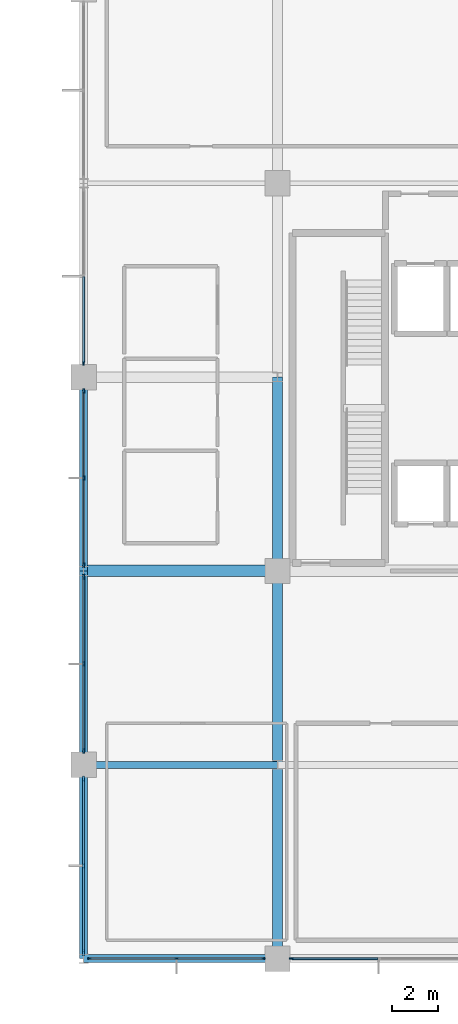
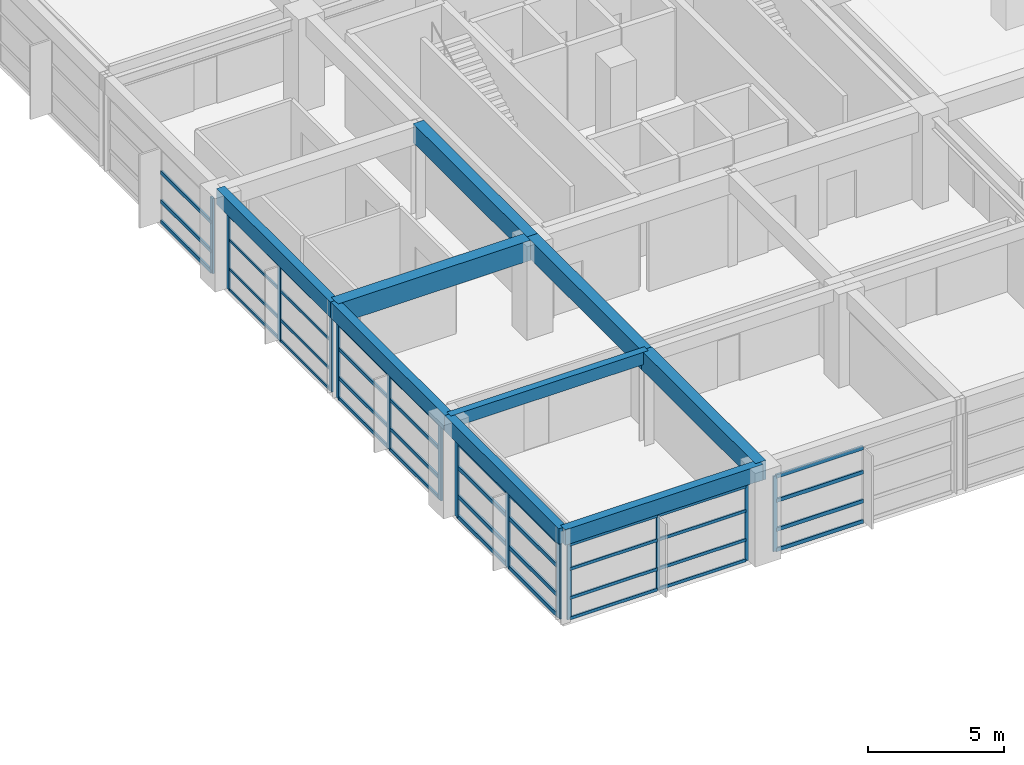
# One storey, part 5 of 19: 53 members, 9 beams, 6 elements without a shape of their own.
"""IFC4 building model written with IfcOpenShell, lengths in metres."""

from ifc_helpers import new_model, si_unit, direction, frame, origin, origin_2d, place, context, subcontext, project, spatial, rectangle, extrude, material, material_profile, profile_set, type_object, element, aggregate, save


model = new_model("IFC4")

# Units and contexts
model_context = context("Model", 3, precision=1e-05, world=origin(), true_north=direction((0.0, 1.0)))
body_context = subcontext(model_context, "Body", "Model", "MODEL_VIEW")
ifc_project = project(units=[si_unit("LENGTHUNIT", "METRE"), si_unit("AREAUNIT", "SQUARE_METRE"), si_unit("VOLUMEUNIT", "CUBIC_METRE"), si_unit("PLANEANGLEUNIT", "RADIAN"), si_unit("MASSUNIT", "GRAM", prefix="KILO")], contexts=[model_context])

# Site, building, storey
site_placement = place(None, origin())
site = spatial("IfcSite", under=ifc_project, at=site_placement, CompositionType="ELEMENT")
building_placement = place(site_placement, origin())
building = spatial("IfcBuilding", under=site, at=building_placement, Name="Xuanlan Plaza Opera House", CompositionType="ELEMENT")
storey_placement = place(building_placement, frame((0.0, 0.0, 36.300048828125)))
storey = spatial("IfcBuildingStorey", under=building, at=storey_placement, Name="L08", CompositionType="ELEMENT", Elevation=36.300048828125)

# Curtain wall, members
ifc_material_1 = material(Name="Anodised Aluminium 6063-T6 and Low-E Glass", Category="aluminium")
curtain_wall_type_1 = type_object("IfcCurtainWallType", Name="ENV-CW-CW-03", PredefinedType="USERDEFINED", material=ifc_material_1)
curtain_wall_1_placement = place(storey_placement, origin())
curtain_wall_1 = element("IfcCurtainWall", 1, at=curtain_wall_1_placement, inside=storey, type_object=curtain_wall_type_1, Name="Unitised Curtain Wall L08-001", ObjectType="UNITISED CURTAIN WALL", PredefinedType="USERDEFINED")
ifc_material_2 = material(Name="Anodised Aluminium 6063-T6", Category="aluminium")
ifc_material_profile_1 = material_profile(ifc_material_2, rectangle(XDim=0.06494140625, YDim=0.159912109375, at=origin_2d()), Name="ALU-M 65x160")
ifc_profile_set_1 = profile_set([ifc_material_profile_1], Name="Anodised Aluminium 6063-T6")
member_type_1 = type_object("IfcMemberType", Name="ENV-CWM-01", PredefinedType="MULLION", material=ifc_profile_set_1)
member_1_placement = place(storey_placement, frame((126.25244140625, 33.60009765625, 0.0), z_axis=(0.0, 0.0, 1.0), x_axis=(0.0, 1.0, 0.0)))
member_1 = element("IfcMember", 2, at=member_1_placement, type_object=member_type_1, Name="CW-03 mullion 1", PredefinedType="MULLION", context=body_context, shape_type="SweptSolid", body=[
    extrude(rectangle(XDim=0.06494140625, YDim=0.159912109375, at=origin_2d()), origin(), (0.0, 0.0, 1.0), 3.3798828125),
])
member_2_placement = place(storey_placement, frame((130.02490234375, 33.60009765625, 0.0), z_axis=(0.0, 0.0, 1.0), x_axis=(0.0, 1.0, 0.0)))
member_2 = element("IfcMember", 3, at=member_2_placement, type_object=member_type_1, Name="CW-03 mullion 2", PredefinedType="MULLION", context=body_context, shape_type="SweptSolid", body=[
    extrude(rectangle(XDim=0.06494140625, YDim=0.159912109375, at=origin_2d()), origin(), (0.0, 0.0, 1.0), 3.3798828125),
])
member_3_placement = place(storey_placement, frame((133.797607421875, 33.60009765625, 0.0), z_axis=(0.0, 0.0, 1.0), x_axis=(0.0, 1.0, 0.0)))
member_3 = element("IfcMember", 4, at=member_3_placement, type_object=member_type_1, Name="CW-03 mullion 3", PredefinedType="MULLION", context=body_context, shape_type="SweptSolid", body=[
    extrude(rectangle(XDim=0.06494140625, YDim=0.159912109375, at=origin_2d()), origin(), (0.0, 0.0, 1.0), 3.3798828125),
])

# Curtain wall, member
curtain_wall_type_2 = type_object("IfcCurtainWallType", Name="ENV-CW-CW-04", PredefinedType="USERDEFINED", material=ifc_material_1)
curtain_wall_2_placement = place(storey_placement, origin())
curtain_wall_2 = element("IfcCurtainWall", 5, at=curtain_wall_2_placement, inside=storey, type_object=curtain_wall_type_2, Name="Unitised Curtain Wall L08-002", ObjectType="UNITISED CURTAIN WALL", PredefinedType="USERDEFINED")
ifc_material_profile_2 = material_profile(ifc_material_2, rectangle(XDim=0.070068359375, YDim=0.179931640625, at=origin_2d()), Name="ALU-M 70x180")
ifc_profile_set_2 = profile_set([ifc_material_profile_2], Name="Anodised Aluminium 6063-T6")
member_type_2 = type_object("IfcMemberType", Name="ENV-CWM-02", PredefinedType="MULLION", material=ifc_profile_set_2)
member_4_placement = place(storey_placement, frame((135.0048828125, 33.60009765625, 0.0), z_axis=(0.0, 0.0, 1.0), x_axis=(0.0, 1.0, 0.0)))
member_4 = element("IfcMember", 6, at=member_4_placement, type_object=member_type_2, Name="CW-04 mullion 1", PredefinedType="MULLION", context=body_context, shape_type="SweptSolid", body=[
    extrude(rectangle(XDim=0.070068359375, YDim=0.179931640625, at=origin_2d()), origin(), (0.0, 0.0, 1.0), 3.3798828125),
])

curtain_wall_3_placement = place(storey_placement, origin())
curtain_wall_3 = element("IfcCurtainWall", 7, at=curtain_wall_3_placement, inside=storey, type_object=curtain_wall_type_1, Name="Unitised Curtain Wall L08-017", ObjectType="UNITISED CURTAIN WALL", PredefinedType="USERDEFINED")
member_5_placement = place(storey_placement, frame((126.0, 59.405029296875, 0.0), z_axis=(0.0, 0.0, 1.0), x_axis=(1.0, 0.0, 0.0)))
member_5 = element("IfcMember", 8, at=member_5_placement, type_object=member_type_2, Name="CW-03 mullion 3", PredefinedType="MULLION", context=body_context, shape_type="SweptSolid", body=[
    extrude(rectangle(XDim=0.070068359375, YDim=0.179931640625, at=origin_2d()), origin(), (0.0, 0.0, 1.0), 3.3798828125),
])

# Curtain wall, members
curtain_wall_4_placement = place(storey_placement, origin())
curtain_wall_4 = element("IfcCurtainWall", 9, at=curtain_wall_4_placement, inside=storey, type_object=curtain_wall_type_2, Name="Unitised Curtain Wall L08-018", ObjectType="UNITISED CURTAIN WALL", PredefinedType="USERDEFINED")
ifc_material_profile_3 = material_profile(ifc_material_2, rectangle(XDim=0.074951171875, YDim=0.199951171875, at=origin_2d()), Name="ALU-M 75x200")
ifc_profile_set_3 = profile_set([ifc_material_profile_3], Name="Anodised Aluminium 6063-T6")
member_type_3 = type_object("IfcMemberType", Name="ENV-CWM-03", PredefinedType="MULLION", material=ifc_profile_set_3)
member_6_placement = place(storey_placement, frame((126.0, 58.1923828125, 0.0), z_axis=(0.0, 0.0, 1.0), x_axis=(1.0, 0.0, 0.0)))
member_6 = element("IfcMember", 10, at=member_6_placement, type_object=member_type_3, Name="CW-04 mullion 1", PredefinedType="MULLION", context=body_context, shape_type="SweptSolid", body=[
    extrude(rectangle(XDim=0.074951171875, YDim=0.199951171875, at=origin_2d()), origin(), (0.0, 0.0, 1.0), 3.3798828125),
])
member_7_placement = place(storey_placement, frame((126.0, 54.425048828125, 0.0), z_axis=(0.0, 0.0, 1.0), x_axis=(1.0, 0.0, 0.0)))
member_7 = element("IfcMember", 11, at=member_7_placement, type_object=member_type_3, Name="CW-04 mullion 2", PredefinedType="MULLION", context=body_context, shape_type="SweptSolid", body=[
    extrude(rectangle(XDim=0.074951171875, YDim=0.199951171875, at=origin_2d()), origin(), (0.0, 0.0, 1.0), 3.3798828125),
])
member_8_placement = place(storey_placement, frame((126.0, 50.657470703125, 0.0), z_axis=(0.0, 0.0, 1.0), x_axis=(1.0, 0.0, 0.0)))
member_8 = element("IfcMember", 12, at=member_8_placement, type_object=member_type_3, Name="CW-04 mullion 3", PredefinedType="MULLION", context=body_context, shape_type="SweptSolid", body=[
    extrude(rectangle(XDim=0.074951171875, YDim=0.199951171875, at=origin_2d()), origin(), (0.0, 0.0, 1.0), 3.3798828125),
])

curtain_wall_type_3 = type_object("IfcCurtainWallType", Name="ENV-CW-CW-01", PredefinedType="USERDEFINED", material=ifc_material_1)
curtain_wall_5_placement = place(storey_placement, origin())
curtain_wall_5 = element("IfcCurtainWall", 13, at=curtain_wall_5_placement, inside=storey, type_object=curtain_wall_type_3, Name="Unitised Curtain Wall L08-019", ObjectType="UNITISED CURTAIN WALL", PredefinedType="USERDEFINED")
ifc_material_profile_4 = material_profile(ifc_material_2, rectangle(XDim=0.080078125, YDim=0.219970703125, at=origin_2d()), Name="ALU-M 80x220")
ifc_profile_set_4 = profile_set([ifc_material_profile_4], Name="Anodised Aluminium 6063-T6")
member_type_4 = type_object("IfcMemberType", Name="ENV-CWM-04", PredefinedType="MULLION", material=ifc_profile_set_4)
member_9_placement = place(storey_placement, frame((126.0, 50.139892578125, 0.0), z_axis=(0.0, 0.0, 1.0), x_axis=(1.0, 0.0, 0.0)))
member_9 = element("IfcMember", 14, at=member_9_placement, type_object=member_type_4, Name="CW-01 mullion 1", PredefinedType="MULLION", context=body_context, shape_type="SweptSolid", body=[
    extrude(rectangle(XDim=0.080078125, YDim=0.219970703125, at=origin_2d()), origin(), (0.0, 0.0, 1.0), 3.3798828125),
])
member_10_placement = place(storey_placement, frame((126.0, 46.375, 0.0), z_axis=(0.0, 0.0, 1.0), x_axis=(1.0, 0.0, 0.0)))
member_10 = element("IfcMember", 15, at=member_10_placement, type_object=member_type_4, Name="CW-01 mullion 2", PredefinedType="MULLION", context=body_context, shape_type="SweptSolid", body=[
    extrude(rectangle(XDim=0.080078125, YDim=0.219970703125, at=origin_2d()), origin(), (0.0, 0.0, 1.0), 3.3798828125),
])
member_11_placement = place(storey_placement, frame((126.0, 42.610107421875, 0.0), z_axis=(0.0, 0.0, 1.0), x_axis=(1.0, 0.0, 0.0)))
member_11 = element("IfcMember", 16, at=member_11_placement, type_object=member_type_4, Name="CW-01 mullion 3", PredefinedType="MULLION", context=body_context, shape_type="SweptSolid", body=[
    extrude(rectangle(XDim=0.080078125, YDim=0.219970703125, at=origin_2d()), origin(), (0.0, 0.0, 1.0), 3.3798828125),
])

curtain_wall_type_4 = type_object("IfcCurtainWallType", Name="ENV-CW-CW-02", PredefinedType="USERDEFINED", material=ifc_material_1)
curtain_wall_6_placement = place(storey_placement, origin())
curtain_wall_6 = element("IfcCurtainWall", 17, at=curtain_wall_6_placement, inside=storey, type_object=curtain_wall_type_4, Name="Unitised Curtain Wall L08-020", ObjectType="UNITISED CURTAIN WALL", PredefinedType="USERDEFINED")
ifc_material_profile_5 = material_profile(ifc_material_2, rectangle(XDim=0.090087890625, YDim=0.25, at=origin_2d()), Name="ALU-M 90x250")
ifc_profile_set_5 = profile_set([ifc_material_profile_5], Name="Anodised Aluminium 6063-T6")
member_type_5 = type_object("IfcMemberType", Name="ENV-CWM-05", PredefinedType="MULLION", material=ifc_profile_set_5)
member_12_placement = place(storey_placement, frame((126.0, 41.385009765625, 0.0), z_axis=(0.0, 0.0, 1.0), x_axis=(1.0, 0.0, 0.0)))
member_12 = element("IfcMember", 18, at=member_12_placement, type_object=member_type_5, Name="CW-02 mullion 1", PredefinedType="MULLION", context=body_context, shape_type="SweptSolid", body=[
    extrude(rectangle(XDim=0.090087890625, YDim=0.25, at=origin_2d()), origin(), (0.0, 0.0, 1.0), 3.3798828125),
])
member_13_placement = place(storey_placement, frame((126.0, 37.625, 0.0), z_axis=(0.0, 0.0, 1.0), x_axis=(1.0, 0.0, 0.0)))
member_13 = element("IfcMember", 19, at=member_13_placement, type_object=member_type_5, Name="CW-02 mullion 2", PredefinedType="MULLION", context=body_context, shape_type="SweptSolid", body=[
    extrude(rectangle(XDim=0.090087890625, YDim=0.25, at=origin_2d()), origin(), (0.0, 0.0, 1.0), 3.3798828125),
])
member_14_placement = place(storey_placement, frame((126.0, 33.864990234375, 0.0), z_axis=(0.0, 0.0, 1.0), x_axis=(1.0, 0.0, 0.0)))
member_14 = element("IfcMember", 20, at=member_14_placement, type_object=member_type_5, Name="CW-02 mullion 3", PredefinedType="MULLION", context=body_context, shape_type="SweptSolid", body=[
    extrude(rectangle(XDim=0.090087890625, YDim=0.25, at=origin_2d()), origin(), (0.0, 0.0, 1.0), 3.3798828125),
])

# Member
ifc_material_profile_6 = material_profile(ifc_material_2, rectangle(XDim=0.06494140625, YDim=0.1201171875, at=origin_2d()), Name="ALU-T 65x120")
ifc_profile_set_6 = profile_set([ifc_material_profile_6], Name="Anodised Aluminium 6063-T6")
member_type_6 = type_object("IfcMemberType", Name="ENV-CWT-01", PredefinedType="USERDEFINED", material=ifc_profile_set_6)
member_15_placement = place(storey_placement, frame((126.0, 58.155029296875, 0.032470703125), z_axis=(0.0, -1.0, 0.0), x_axis=(1.0, 0.0, 0.0)))
member_15 = element("IfcMember", 21, at=member_15_placement, type_object=member_type_6, Name="CW-04 transom 1.1", ObjectType="TRANSOM", PredefinedType="USERDEFINED", context=body_context, shape_type="SweptSolid", body=[
    extrude(rectangle(XDim=0.06494140625, YDim=0.1201171875, at=origin_2d()), origin(), (0.0, 0.0, 1.0), 3.692626953125),
])

member_16_placement = place(storey_placement, frame((126.0, 58.155029296875, 0.949951171875), z_axis=(0.0, -1.0, 0.0), x_axis=(1.0, 0.0, 0.0)))
member_16 = element("IfcMember", 22, at=member_16_placement, type_object=member_type_6, Name="CW-04 transom 1.2", ObjectType="TRANSOM", PredefinedType="USERDEFINED", context=body_context, shape_type="SweptSolid", body=[
    extrude(rectangle(XDim=0.06494140625, YDim=0.1201171875, at=origin_2d()), origin(), (0.0, 0.0, 1.0), 3.692626953125),
])

member_17_placement = place(storey_placement, frame((126.0, 58.155029296875, 2.25), z_axis=(0.0, -1.0, 0.0), x_axis=(1.0, 0.0, 0.0)))
member_17 = element("IfcMember", 23, at=member_17_placement, type_object=member_type_6, Name="CW-04 transom 1.3", ObjectType="TRANSOM", PredefinedType="USERDEFINED", context=body_context, shape_type="SweptSolid", body=[
    extrude(rectangle(XDim=0.06494140625, YDim=0.1201171875, at=origin_2d()), origin(), (0.0, 0.0, 1.0), 3.692626953125),
])

member_18_placement = place(storey_placement, frame((126.0, 58.155029296875, 3.347412109375), z_axis=(0.0, -1.0, 0.0), x_axis=(1.0, 0.0, 0.0)))
member_18 = element("IfcMember", 24, at=member_18_placement, type_object=member_type_6, Name="CW-04 transom 1.4", ObjectType="TRANSOM", PredefinedType="USERDEFINED", context=body_context, shape_type="SweptSolid", body=[
    extrude(rectangle(XDim=0.06494140625, YDim=0.1201171875, at=origin_2d()), origin(), (0.0, 0.0, 1.0), 3.692626953125),
])

member_19_placement = place(storey_placement, frame((126.0, 54.387451171875, 0.032470703125), z_axis=(0.0, -1.0, 0.0), x_axis=(1.0, 0.0, 0.0)))
member_19 = element("IfcMember", 25, at=member_19_placement, type_object=member_type_6, Name="CW-04 transom 2.1", ObjectType="TRANSOM", PredefinedType="USERDEFINED", context=body_context, shape_type="SweptSolid", body=[
    extrude(rectangle(XDim=0.06494140625, YDim=0.1201171875, at=origin_2d()), origin(), (0.0, 0.0, 1.0), 3.6923828125),
])

member_20_placement = place(storey_placement, frame((126.0, 54.387451171875, 0.949951171875), z_axis=(0.0, -1.0, 0.0), x_axis=(1.0, 0.0, 0.0)))
member_20 = element("IfcMember", 26, at=member_20_placement, type_object=member_type_6, Name="CW-04 transom 2.2", ObjectType="TRANSOM", PredefinedType="USERDEFINED", context=body_context, shape_type="SweptSolid", body=[
    extrude(rectangle(XDim=0.06494140625, YDim=0.1201171875, at=origin_2d()), origin(), (0.0, 0.0, 1.0), 3.6923828125),
])

member_21_placement = place(storey_placement, frame((126.0, 54.387451171875, 2.25), z_axis=(0.0, -1.0, 0.0), x_axis=(1.0, 0.0, 0.0)))
member_21 = element("IfcMember", 27, at=member_21_placement, type_object=member_type_6, Name="CW-04 transom 2.3", ObjectType="TRANSOM", PredefinedType="USERDEFINED", context=body_context, shape_type="SweptSolid", body=[
    extrude(rectangle(XDim=0.06494140625, YDim=0.1201171875, at=origin_2d()), origin(), (0.0, 0.0, 1.0), 3.6923828125),
])

member_22_placement = place(storey_placement, frame((126.0, 54.387451171875, 3.347412109375), z_axis=(0.0, -1.0, 0.0), x_axis=(1.0, 0.0, 0.0)))
member_22 = element("IfcMember", 28, at=member_22_placement, type_object=member_type_6, Name="CW-04 transom 2.4", ObjectType="TRANSOM", PredefinedType="USERDEFINED", context=body_context, shape_type="SweptSolid", body=[
    extrude(rectangle(XDim=0.06494140625, YDim=0.1201171875, at=origin_2d()), origin(), (0.0, 0.0, 1.0), 3.6923828125),
])

aggregate(curtain_wall_4, [member_6, member_7, member_8, member_15, member_16, member_17, member_18, member_19, member_20, member_21, member_22])

ifc_material_profile_7 = material_profile(ifc_material_2, rectangle(XDim=0.070068359375, YDim=0.135009765625, at=origin_2d()), Name="ALU-T 70x135")
ifc_profile_set_7 = profile_set([ifc_material_profile_7], Name="Anodised Aluminium 6063-T6")
member_type_7 = type_object("IfcMemberType", Name="ENV-CWT-02", PredefinedType="USERDEFINED", material=ifc_profile_set_7)
member_23_placement = place(storey_placement, frame((126.284912109375, 33.60009765625, 0.034912109375), z_axis=(1.0, 0.0, 0.0), x_axis=(0.0, 1.0, 0.0)))
member_23 = element("IfcMember", 29, at=member_23_placement, type_object=member_type_7, Name="CW-03 transom 1.1", ObjectType="TRANSOM", PredefinedType="USERDEFINED", context=body_context, shape_type="SweptSolid", body=[
    extrude(rectangle(XDim=0.070068359375, YDim=0.135009765625, at=origin_2d()), origin(), (0.0, 0.0, 1.0), 3.70751953125),
])

member_24_placement = place(storey_placement, frame((126.284912109375, 33.60009765625, 0.949951171875), z_axis=(1.0, 0.0, 0.0), x_axis=(0.0, 1.0, 0.0)))
member_24 = element("IfcMember", 30, at=member_24_placement, type_object=member_type_7, Name="CW-03 transom 1.2", ObjectType="TRANSOM", PredefinedType="USERDEFINED", context=body_context, shape_type="SweptSolid", body=[
    extrude(rectangle(XDim=0.070068359375, YDim=0.135009765625, at=origin_2d()), origin(), (0.0, 0.0, 1.0), 3.70751953125),
])

member_25_placement = place(storey_placement, frame((126.284912109375, 33.60009765625, 2.25), z_axis=(1.0, 0.0, 0.0), x_axis=(0.0, 1.0, 0.0)))
member_25 = element("IfcMember", 31, at=member_25_placement, type_object=member_type_7, Name="CW-03 transom 1.3", ObjectType="TRANSOM", PredefinedType="USERDEFINED", context=body_context, shape_type="SweptSolid", body=[
    extrude(rectangle(XDim=0.070068359375, YDim=0.135009765625, at=origin_2d()), origin(), (0.0, 0.0, 1.0), 3.70751953125),
])

member_26_placement = place(storey_placement, frame((126.284912109375, 33.60009765625, 3.344970703125), z_axis=(1.0, 0.0, 0.0), x_axis=(0.0, 1.0, 0.0)))
member_26 = element("IfcMember", 32, at=member_26_placement, type_object=member_type_7, Name="CW-03 transom 1.4", ObjectType="TRANSOM", PredefinedType="USERDEFINED", context=body_context, shape_type="SweptSolid", body=[
    extrude(rectangle(XDim=0.070068359375, YDim=0.135009765625, at=origin_2d()), origin(), (0.0, 0.0, 1.0), 3.70751953125),
])

member_27_placement = place(storey_placement, frame((130.0576171875, 33.60009765625, 0.034912109375), z_axis=(1.0, 0.0, 0.0), x_axis=(0.0, 1.0, 0.0)))
member_27 = element("IfcMember", 33, at=member_27_placement, type_object=member_type_7, Name="CW-03 transom 2.1", ObjectType="TRANSOM", PredefinedType="USERDEFINED", context=body_context, shape_type="SweptSolid", body=[
    extrude(rectangle(XDim=0.070068359375, YDim=0.135009765625, at=origin_2d()), origin(), (0.0, 0.0, 1.0), 3.707275390625),
])

member_28_placement = place(storey_placement, frame((130.0576171875, 33.60009765625, 0.949951171875), z_axis=(1.0, 0.0, 0.0), x_axis=(0.0, 1.0, 0.0)))
member_28 = element("IfcMember", 34, at=member_28_placement, type_object=member_type_7, Name="CW-03 transom 2.2", ObjectType="TRANSOM", PredefinedType="USERDEFINED", context=body_context, shape_type="SweptSolid", body=[
    extrude(rectangle(XDim=0.070068359375, YDim=0.135009765625, at=origin_2d()), origin(), (0.0, 0.0, 1.0), 3.707275390625),
])

member_29_placement = place(storey_placement, frame((130.0576171875, 33.60009765625, 2.25), z_axis=(1.0, 0.0, 0.0), x_axis=(0.0, 1.0, 0.0)))
member_29 = element("IfcMember", 35, at=member_29_placement, type_object=member_type_7, Name="CW-03 transom 2.3", ObjectType="TRANSOM", PredefinedType="USERDEFINED", context=body_context, shape_type="SweptSolid", body=[
    extrude(rectangle(XDim=0.070068359375, YDim=0.135009765625, at=origin_2d()), origin(), (0.0, 0.0, 1.0), 3.707275390625),
])

member_30_placement = place(storey_placement, frame((130.0576171875, 33.60009765625, 3.344970703125), z_axis=(1.0, 0.0, 0.0), x_axis=(0.0, 1.0, 0.0)))
member_30 = element("IfcMember", 36, at=member_30_placement, type_object=member_type_7, Name="CW-03 transom 2.4", ObjectType="TRANSOM", PredefinedType="USERDEFINED", context=body_context, shape_type="SweptSolid", body=[
    extrude(rectangle(XDim=0.070068359375, YDim=0.135009765625, at=origin_2d()), origin(), (0.0, 0.0, 1.0), 3.707275390625),
])

aggregate(curtain_wall_1, [member_1, member_2, member_3, member_23, member_24, member_25, member_26, member_27, member_28, member_29, member_30])

ifc_material_profile_8 = material_profile(ifc_material_2, rectangle(XDim=0.074951171875, YDim=0.14990234375, at=origin_2d()), Name="ALU-T 75x150")
ifc_profile_set_8 = profile_set([ifc_material_profile_8], Name="Anodised Aluminium 6063-T6")
member_type_8 = type_object("IfcMemberType", Name="ENV-CWT-03", PredefinedType="USERDEFINED", material=ifc_profile_set_8)
member_31_placement = place(storey_placement, frame((126.0, 50.10009765625, 0.037353515625), z_axis=(0.0, -1.0, 0.0), x_axis=(1.0, 0.0, 0.0)))
member_31 = element("IfcMember", 37, at=member_31_placement, type_object=member_type_8, Name="CW-01 transom 1.1", ObjectType="TRANSOM", PredefinedType="USERDEFINED", context=body_context, shape_type="SweptSolid", body=[
    extrude(rectangle(XDim=0.074951171875, YDim=0.14990234375, at=origin_2d()), origin(), (0.0, 0.0, 1.0), 3.68505859375),
])

member_32_placement = place(storey_placement, frame((126.0, 50.10009765625, 0.949951171875), z_axis=(0.0, -1.0, 0.0), x_axis=(1.0, 0.0, 0.0)))
member_32 = element("IfcMember", 38, at=member_32_placement, type_object=member_type_8, Name="CW-01 transom 1.2", ObjectType="TRANSOM", PredefinedType="USERDEFINED", context=body_context, shape_type="SweptSolid", body=[
    extrude(rectangle(XDim=0.074951171875, YDim=0.14990234375, at=origin_2d()), origin(), (0.0, 0.0, 1.0), 3.68505859375),
])

member_33_placement = place(storey_placement, frame((126.0, 50.10009765625, 2.25), z_axis=(0.0, -1.0, 0.0), x_axis=(1.0, 0.0, 0.0)))
member_33 = element("IfcMember", 39, at=member_33_placement, type_object=member_type_8, Name="CW-01 transom 1.3", ObjectType="TRANSOM", PredefinedType="USERDEFINED", context=body_context, shape_type="SweptSolid", body=[
    extrude(rectangle(XDim=0.074951171875, YDim=0.14990234375, at=origin_2d()), origin(), (0.0, 0.0, 1.0), 3.68505859375),
])

member_34_placement = place(storey_placement, frame((126.0, 50.10009765625, 3.342529296875), z_axis=(0.0, -1.0, 0.0), x_axis=(1.0, 0.0, 0.0)))
member_34 = element("IfcMember", 40, at=member_34_placement, type_object=member_type_8, Name="CW-01 transom 1.4", ObjectType="TRANSOM", PredefinedType="USERDEFINED", context=body_context, shape_type="SweptSolid", body=[
    extrude(rectangle(XDim=0.074951171875, YDim=0.14990234375, at=origin_2d()), origin(), (0.0, 0.0, 1.0), 3.68505859375),
])

member_35_placement = place(storey_placement, frame((126.0, 46.3349609375, 0.037353515625), z_axis=(0.0, -1.0, 0.0), x_axis=(1.0, 0.0, 0.0)))
member_35 = element("IfcMember", 41, at=member_35_placement, type_object=member_type_8, Name="CW-01 transom 2.1", ObjectType="TRANSOM", PredefinedType="USERDEFINED", context=body_context, shape_type="SweptSolid", body=[
    extrude(rectangle(XDim=0.074951171875, YDim=0.14990234375, at=origin_2d()), origin(), (0.0, 0.0, 1.0), 3.68505859375),
])

member_36_placement = place(storey_placement, frame((126.0, 46.3349609375, 0.949951171875), z_axis=(0.0, -1.0, 0.0), x_axis=(1.0, 0.0, 0.0)))
member_36 = element("IfcMember", 42, at=member_36_placement, type_object=member_type_8, Name="CW-01 transom 2.2", ObjectType="TRANSOM", PredefinedType="USERDEFINED", context=body_context, shape_type="SweptSolid", body=[
    extrude(rectangle(XDim=0.074951171875, YDim=0.14990234375, at=origin_2d()), origin(), (0.0, 0.0, 1.0), 3.68505859375),
])

member_37_placement = place(storey_placement, frame((126.0, 46.3349609375, 2.25), z_axis=(0.0, -1.0, 0.0), x_axis=(1.0, 0.0, 0.0)))
member_37 = element("IfcMember", 43, at=member_37_placement, type_object=member_type_8, Name="CW-01 transom 2.3", ObjectType="TRANSOM", PredefinedType="USERDEFINED", context=body_context, shape_type="SweptSolid", body=[
    extrude(rectangle(XDim=0.074951171875, YDim=0.14990234375, at=origin_2d()), origin(), (0.0, 0.0, 1.0), 3.68505859375),
])

member_38_placement = place(storey_placement, frame((126.0, 46.3349609375, 3.342529296875), z_axis=(0.0, -1.0, 0.0), x_axis=(1.0, 0.0, 0.0)))
member_38 = element("IfcMember", 44, at=member_38_placement, type_object=member_type_8, Name="CW-01 transom 2.4", ObjectType="TRANSOM", PredefinedType="USERDEFINED", context=body_context, shape_type="SweptSolid", body=[
    extrude(rectangle(XDim=0.074951171875, YDim=0.14990234375, at=origin_2d()), origin(), (0.0, 0.0, 1.0), 3.68505859375),
])

aggregate(curtain_wall_5, [member_9, member_10, member_11, member_31, member_32, member_33, member_34, member_35, member_36, member_37, member_38])

ifc_material_profile_9 = material_profile(ifc_material_2, rectangle(XDim=0.080078125, YDim=0.1650390625, at=origin_2d()), Name="ALU-T 80x165")
ifc_profile_set_9 = profile_set([ifc_material_profile_9], Name="Anodised Aluminium 6063-T6")
member_type_9 = type_object("IfcMemberType", Name="ENV-CWT-04", PredefinedType="USERDEFINED", material=ifc_profile_set_9)
member_39_placement = place(storey_placement, frame((135.0400390625, 33.60009765625, 0.0400390625), z_axis=(1.0, 0.0, 0.0), x_axis=(0.0, 1.0, 0.0)))
member_39 = element("IfcMember", 45, at=member_39_placement, type_object=member_type_9, Name="CW-04 transom 1.1", ObjectType="TRANSOM", PredefinedType="USERDEFINED", context=body_context, shape_type="SweptSolid", body=[
    extrude(rectangle(XDim=0.080078125, YDim=0.1650390625, at=origin_2d()), origin(), (0.0, 0.0, 1.0), 3.699951171875),
])

member_40_placement = place(storey_placement, frame((135.0400390625, 33.60009765625, 0.949951171875), z_axis=(1.0, 0.0, 0.0), x_axis=(0.0, 1.0, 0.0)))
member_40 = element("IfcMember", 46, at=member_40_placement, type_object=member_type_9, Name="CW-04 transom 1.2", ObjectType="TRANSOM", PredefinedType="USERDEFINED", context=body_context, shape_type="SweptSolid", body=[
    extrude(rectangle(XDim=0.080078125, YDim=0.1650390625, at=origin_2d()), origin(), (0.0, 0.0, 1.0), 3.699951171875),
])

member_41_placement = place(storey_placement, frame((135.0400390625, 33.60009765625, 2.25), z_axis=(1.0, 0.0, 0.0), x_axis=(0.0, 1.0, 0.0)))
member_41 = element("IfcMember", 47, at=member_41_placement, type_object=member_type_9, Name="CW-04 transom 1.3", ObjectType="TRANSOM", PredefinedType="USERDEFINED", context=body_context, shape_type="SweptSolid", body=[
    extrude(rectangle(XDim=0.080078125, YDim=0.1650390625, at=origin_2d()), origin(), (0.0, 0.0, 1.0), 3.699951171875),
])

member_42_placement = place(storey_placement, frame((135.0400390625, 33.60009765625, 3.33984375), z_axis=(1.0, 0.0, 0.0), x_axis=(0.0, 1.0, 0.0)))
member_42 = element("IfcMember", 48, at=member_42_placement, type_object=member_type_9, Name="CW-04 transom 1.4", ObjectType="TRANSOM", PredefinedType="USERDEFINED", context=body_context, shape_type="SweptSolid", body=[
    extrude(rectangle(XDim=0.080078125, YDim=0.1650390625, at=origin_2d()), origin(), (0.0, 0.0, 1.0), 3.699951171875),
])

aggregate(curtain_wall_2, [member_4, member_39, member_40, member_41, member_42])

member_43_placement = place(storey_placement, frame((126.0, 63.139892578125, 0.0400390625), z_axis=(0.0, -1.0, 0.0), x_axis=(1.0, 0.0, 0.0)))
member_43 = element("IfcMember", 49, at=member_43_placement, type_object=member_type_9, Name="CW-03 transom 2.1", ObjectType="TRANSOM", PredefinedType="USERDEFINED", context=body_context, shape_type="SweptSolid", body=[
    extrude(rectangle(XDim=0.080078125, YDim=0.1650390625, at=origin_2d()), origin(), (0.0, 0.0, 1.0), 3.699951171875),
])

member_44_placement = place(storey_placement, frame((126.0, 63.139892578125, 0.949951171875), z_axis=(0.0, -1.0, 0.0), x_axis=(1.0, 0.0, 0.0)))
member_44 = element("IfcMember", 50, at=member_44_placement, type_object=member_type_9, Name="CW-03 transom 2.2", ObjectType="TRANSOM", PredefinedType="USERDEFINED", context=body_context, shape_type="SweptSolid", body=[
    extrude(rectangle(XDim=0.080078125, YDim=0.1650390625, at=origin_2d()), origin(), (0.0, 0.0, 1.0), 3.699951171875),
])

member_45_placement = place(storey_placement, frame((126.0, 63.139892578125, 2.25), z_axis=(0.0, -1.0, 0.0), x_axis=(1.0, 0.0, 0.0)))
member_45 = element("IfcMember", 51, at=member_45_placement, type_object=member_type_9, Name="CW-03 transom 2.3", ObjectType="TRANSOM", PredefinedType="USERDEFINED", context=body_context, shape_type="SweptSolid", body=[
    extrude(rectangle(XDim=0.080078125, YDim=0.1650390625, at=origin_2d()), origin(), (0.0, 0.0, 1.0), 3.699951171875),
])

aggregate(curtain_wall_3, [member_5, member_43, member_44, member_45])

ifc_material_profile_10 = material_profile(ifc_material_2, rectangle(XDim=0.090087890625, YDim=0.179931640625, at=origin_2d()), Name="ALU-T 90x180")
ifc_profile_set_10 = profile_set([ifc_material_profile_10], Name="Anodised Aluminium 6063-T6")
member_type_10 = type_object("IfcMemberType", Name="ENV-CWT-05", PredefinedType="USERDEFINED", material=ifc_profile_set_10)
member_46_placement = place(storey_placement, frame((126.0, 41.340087890625, 0.044921875), z_axis=(0.0, -1.0, 0.0), x_axis=(1.0, 0.0, 0.0)))
member_46 = element("IfcMember", 52, at=member_46_placement, type_object=member_type_10, Name="CW-02 transom 1.1", ObjectType="TRANSOM", PredefinedType="USERDEFINED", context=body_context, shape_type="SweptSolid", body=[
    extrude(rectangle(XDim=0.090087890625, YDim=0.179931640625, at=origin_2d()), origin(), (0.0, 0.0, 1.0), 3.670166015625),
])

member_47_placement = place(storey_placement, frame((126.0, 41.340087890625, 0.949951171875), z_axis=(0.0, -1.0, 0.0), x_axis=(1.0, 0.0, 0.0)))
member_47 = element("IfcMember", 53, at=member_47_placement, type_object=member_type_10, Name="CW-02 transom 1.2", ObjectType="TRANSOM", PredefinedType="USERDEFINED", context=body_context, shape_type="SweptSolid", body=[
    extrude(rectangle(XDim=0.090087890625, YDim=0.179931640625, at=origin_2d()), origin(), (0.0, 0.0, 1.0), 3.670166015625),
])

member_48_placement = place(storey_placement, frame((126.0, 41.340087890625, 2.25), z_axis=(0.0, -1.0, 0.0), x_axis=(1.0, 0.0, 0.0)))
member_48 = element("IfcMember", 54, at=member_48_placement, type_object=member_type_10, Name="CW-02 transom 1.3", ObjectType="TRANSOM", PredefinedType="USERDEFINED", context=body_context, shape_type="SweptSolid", body=[
    extrude(rectangle(XDim=0.090087890625, YDim=0.179931640625, at=origin_2d()), origin(), (0.0, 0.0, 1.0), 3.670166015625),
])

member_49_placement = place(storey_placement, frame((126.0, 41.340087890625, 3.3349609375), z_axis=(0.0, -1.0, 0.0), x_axis=(1.0, 0.0, 0.0)))
member_49 = element("IfcMember", 55, at=member_49_placement, type_object=member_type_10, Name="CW-02 transom 1.4", ObjectType="TRANSOM", PredefinedType="USERDEFINED", context=body_context, shape_type="SweptSolid", body=[
    extrude(rectangle(XDim=0.090087890625, YDim=0.179931640625, at=origin_2d()), origin(), (0.0, 0.0, 1.0), 3.670166015625),
])

member_50_placement = place(storey_placement, frame((126.0, 37.580078125, 0.044921875), z_axis=(0.0, -1.0, 0.0), x_axis=(1.0, 0.0, 0.0)))
member_50 = element("IfcMember", 56, at=member_50_placement, type_object=member_type_10, Name="CW-02 transom 2.1", ObjectType="TRANSOM", PredefinedType="USERDEFINED", context=body_context, shape_type="SweptSolid", body=[
    extrude(rectangle(XDim=0.090087890625, YDim=0.179931640625, at=origin_2d()), origin(), (0.0, 0.0, 1.0), 3.670166015625),
])

member_51_placement = place(storey_placement, frame((126.0, 37.580078125, 0.949951171875), z_axis=(0.0, -1.0, 0.0), x_axis=(1.0, 0.0, 0.0)))
member_51 = element("IfcMember", 57, at=member_51_placement, type_object=member_type_10, Name="CW-02 transom 2.2", ObjectType="TRANSOM", PredefinedType="USERDEFINED", context=body_context, shape_type="SweptSolid", body=[
    extrude(rectangle(XDim=0.090087890625, YDim=0.179931640625, at=origin_2d()), origin(), (0.0, 0.0, 1.0), 3.670166015625),
])

member_52_placement = place(storey_placement, frame((126.0, 37.580078125, 2.25), z_axis=(0.0, -1.0, 0.0), x_axis=(1.0, 0.0, 0.0)))
member_52 = element("IfcMember", 58, at=member_52_placement, type_object=member_type_10, Name="CW-02 transom 2.3", ObjectType="TRANSOM", PredefinedType="USERDEFINED", context=body_context, shape_type="SweptSolid", body=[
    extrude(rectangle(XDim=0.090087890625, YDim=0.179931640625, at=origin_2d()), origin(), (0.0, 0.0, 1.0), 3.670166015625),
])

member_53_placement = place(storey_placement, frame((126.0, 37.580078125, 3.3349609375), z_axis=(0.0, -1.0, 0.0), x_axis=(1.0, 0.0, 0.0)))
member_53 = element("IfcMember", 59, at=member_53_placement, type_object=member_type_10, Name="CW-02 transom 2.4", ObjectType="TRANSOM", PredefinedType="USERDEFINED", context=body_context, shape_type="SweptSolid", body=[
    extrude(rectangle(XDim=0.090087890625, YDim=0.179931640625, at=origin_2d()), origin(), (0.0, 0.0, 1.0), 3.670166015625),
])

aggregate(curtain_wall_6, [member_12, member_13, member_14, member_46, member_47, member_48, member_49, member_50, member_51, member_52, member_53])

# Beams
ifc_material_3 = material(Name="Concrete C40", Category="concrete")
ifc_material_profile_11 = material_profile(ifc_material_3, rectangle(XDim=0.5, YDim=0.89990234375, at=origin_2d()), Name="RC-BM 500x900")
ifc_profile_set_11 = profile_set([ifc_material_profile_11], Name="Concrete C40")
beam_type_1 = type_object("IfcBeamType", Name="STR-BM-B-03", PredefinedType="BEAM", material=ifc_profile_set_11)
beam_1_placement = place(storey_placement, frame((126.0, 50.39990234375, 3.75), z_axis=(1.0, 0.0, 0.0), x_axis=(0.0, 1.0, 0.0)))
element("IfcBeam", 60, at=beam_1_placement, inside=storey, type_object=beam_type_1, Name="Grid Beam X L08 16-17/G", PredefinedType="BEAM", context=body_context, shape_type="SweptSolid", body=[
    extrude(rectangle(XDim=0.5, YDim=0.89990234375, at=origin_2d()), origin(), (0.0, 0.0, 1.0), 8.39990234375),
])
ifc_material_profile_12 = material_profile(ifc_material_3, rectangle(XDim=0.449951171875, YDim=0.85009765625, at=origin_2d()), Name="RC-BM 450x850")
ifc_profile_set_12 = profile_set([ifc_material_profile_12], Name="Concrete C40")
beam_type_2 = type_object("IfcBeamType", Name="STR-BM-B-04", PredefinedType="BEAM", material=ifc_profile_set_12)
for number, where, z_axis, x_axis, name in (
    (61, (134.39990234375, 33.60009765625, 3.77490234375), (0.0, 1.0, 0.0), (-1.0, 0.0, 0.0), "Grid Beam Y L08 17/E-F"),
    (62, (134.39990234375, 42.0, 3.77490234375), (0.0, 1.0, 0.0), (-1.0, 0.0, 0.0), "Grid Beam Y L08 17/F-G"),
):
    element("IfcBeam", number, at=place(storey_placement, frame(where, z_axis=z_axis, x_axis=x_axis)), inside=storey, type_object=beam_type_2, Name=name, PredefinedType="BEAM", context=body_context, shape_type="SweptSolid", body=[
        extrude(rectangle(XDim=0.449951171875, YDim=0.85009765625, at=origin_2d()), origin(), (0.0, 0.0, 1.0), 8.39990234375),
    ])
beam_2_placement = place(storey_placement, frame((134.39990234375, 50.39990234375, 3.77490234375), z_axis=(0.0, 1.0, 0.0), x_axis=(-1.0, 0.0, 0.0)))
element("IfcBeam", 63, at=beam_2_placement, inside=storey, type_object=beam_type_2, Name="Grid Beam Y L08 17/G-H", PredefinedType="BEAM", context=body_context, shape_type="SweptSolid", body=[
    extrude(rectangle(XDim=0.449951171875, YDim=0.85009765625, at=origin_2d()), origin(), (0.0, 0.0, 1.0), 8.400146484375),
])
ifc_material_profile_13 = material_profile(ifc_material_3, rectangle(XDim=0.300048828125, YDim=0.550048828125, at=origin_2d()), Name="RC-BM 300x550")
ifc_profile_set_13 = profile_set([ifc_material_profile_13], Name="Concrete C40")
beam_type_3 = type_object("IfcBeamType", Name="STR-BM-B-09", PredefinedType="BEAM", material=ifc_profile_set_13)
beam_3_placement = place(storey_placement, frame((126.0, 42.0, 3.925048828125), z_axis=(1.0, 0.0, 0.0), x_axis=(0.0, 1.0, 0.0)))
element("IfcBeam", 64, at=beam_3_placement, inside=storey, type_object=beam_type_3, Name="Grid Beam X L08 16-17/F", PredefinedType="BEAM", context=body_context, shape_type="SweptSolid", body=[
    extrude(rectangle(XDim=0.300048828125, YDim=0.550048828125, at=origin_2d()), origin(), (0.0, 0.0, 1.0), 8.39990234375),
])
ifc_material_profile_14 = material_profile(ifc_material_3, rectangle(XDim=0.35009765625, YDim=0.699951171875, at=origin_2d()), Name="RC-SPD 350x700")
ifc_profile_set_14 = profile_set([ifc_material_profile_14], Name="Concrete C40")
beam_type_4 = type_object("IfcBeamType", Name="STR-BM-SP-02", PredefinedType="SPANDREL", material=ifc_profile_set_14)
for number, where, z_axis, x_axis, name in (
    (65, (126.0, 33.60009765625, 3.849853515625), (1.0, 0.0, 0.0), (0.0, 1.0, 0.0), "Grid Beam X L08 16-17/E"),
    (66, (126.0, 33.60009765625, 3.849853515625), (0.0, 1.0, 0.0), (-1.0, 0.0, 0.0), "Grid Beam Y L08 16/E-F"),
    (67, (126.0, 42.0, 3.849853515625), (0.0, 1.0, 0.0), (-1.0, 0.0, 0.0), "Grid Beam Y L08 16/F-G"),
):
    element("IfcBeam", number, at=place(storey_placement, frame(where, z_axis=z_axis, x_axis=x_axis)), inside=storey, type_object=beam_type_4, Name=name, PredefinedType="SPANDREL", context=body_context, shape_type="SweptSolid", body=[
        extrude(rectangle(XDim=0.35009765625, YDim=0.699951171875, at=origin_2d()), origin(), (0.0, 0.0, 1.0), 8.39990234375),
    ])
beam_4_placement = place(storey_placement, frame((126.0, 50.39990234375, 3.849853515625), z_axis=(0.0, 1.0, 0.0), x_axis=(-1.0, 0.0, 0.0)))
element("IfcBeam", 68, at=beam_4_placement, inside=storey, type_object=beam_type_4, Name="Grid Beam Y L08 16/G-H", PredefinedType="SPANDREL", context=body_context, shape_type="SweptSolid", body=[
    extrude(rectangle(XDim=0.35009765625, YDim=0.699951171875, at=origin_2d()), origin(), (0.0, 0.0, 1.0), 8.400146484375),
])

save(model, "model.ifc")
